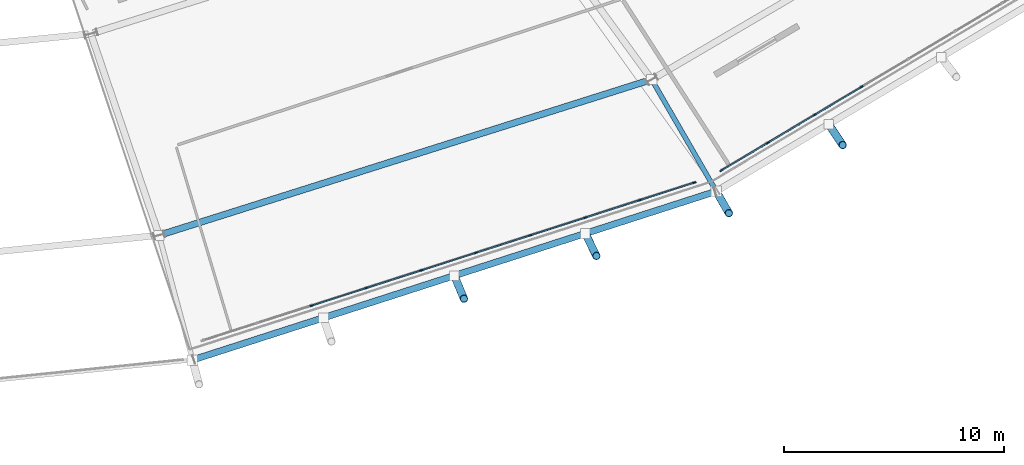
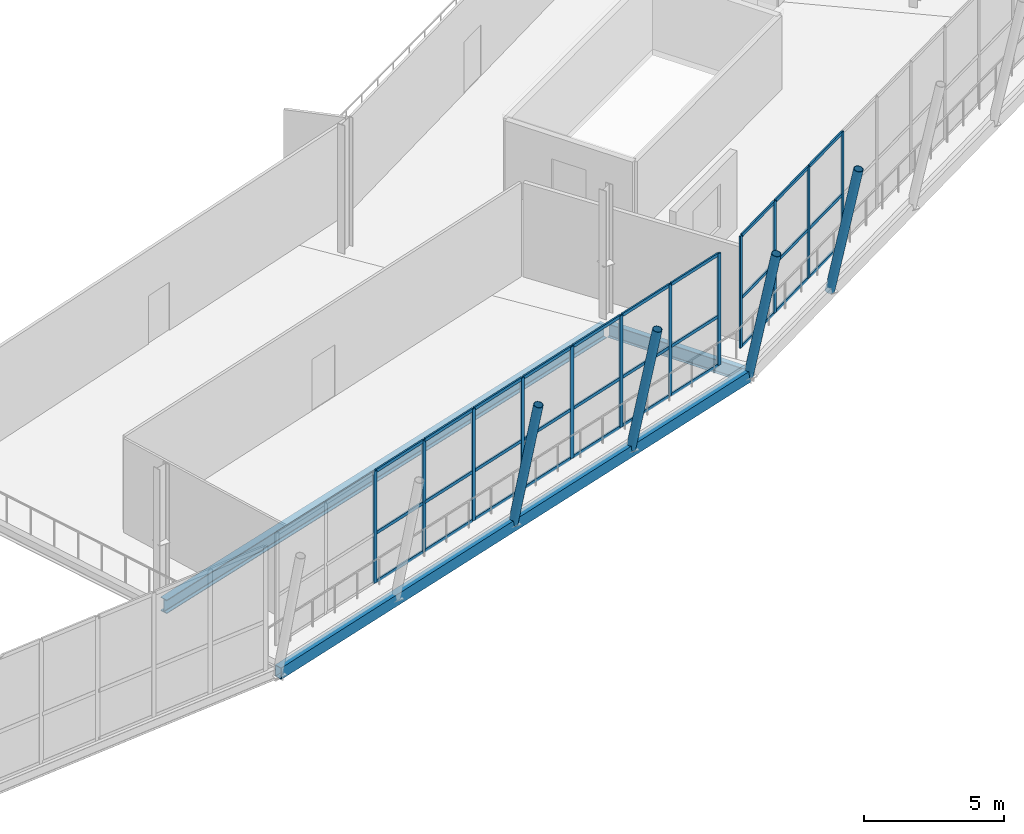
# One storey, part 31 of 99: 46 members, 3 beams, 2 elements without a shape of their own.
"""IFC4 building model written with IfcOpenShell, lengths in metres."""

from ifc_helpers import new_model, si_unit, direction, frame, origin, origin_2d, place, context, subcontext, project, spatial, rectangle, hollow_rectangle, hollow_circle, i_section, extrude, material, material_profile, profile_set, type_object, element, aggregate, save


model = new_model("IFC4")

# Units and contexts
model_context = context("Model", 3, precision=1e-05, world=origin(), true_north=direction((0.0, 1.0)))
body_context = subcontext(model_context, "Body", "Model", "MODEL_VIEW")
ifc_project = project(units=[si_unit("LENGTHUNIT", "METRE"), si_unit("AREAUNIT", "SQUARE_METRE"), si_unit("VOLUMEUNIT", "CUBIC_METRE"), si_unit("PLANEANGLEUNIT", "RADIAN"), si_unit("MASSUNIT", "GRAM", prefix="KILO")], contexts=[model_context])

# Site, building, storey
site_placement = place(None, origin())
site = spatial("IfcSite", under=ifc_project, at=site_placement, CompositionType="ELEMENT")
building_placement = place(site_placement, origin())
building = spatial("IfcBuilding", under=site, at=building_placement, Name="Zlatoyarsky Gate Stadium", CompositionType="ELEMENT")
storey_placement = place(building_placement, frame((0.0, 0.0, 26.199951171875)))
storey = spatial("IfcBuildingStorey", under=building, at=storey_placement, Name="L05", CompositionType="ELEMENT", Elevation=26.199951171875)

# Curtain wall, members
ifc_material_1 = material(Name="Thermally broken anodised aluminium curtain wall", Category="aluminium")
curtain_wall_type = type_object("IfcCurtainWallType", Name="UNITISED SKYBOX RING GLAZING L05", PredefinedType="USERDEFINED", material=ifc_material_1)
curtain_wall_1_placement = place(storey_placement, origin())
curtain_wall_1 = element("IfcCurtainWall", 1, at=curtain_wall_1_placement, inside=storey, type_object=curtain_wall_type, Name="Curtain wall CW-L05-19", ObjectType="UNITISED GLAZING", PredefinedType="USERDEFINED")
ifc_material_2 = material(Name="Anodised aluminium 6063-T6", Category="aluminium")
ifc_material_profile_1 = material_profile(ifc_material_2, rectangle(XDim=0.06494140625, YDim=0.159912109375, at=origin_2d()), Name="ALU 65X160")
ifc_profile_set_1 = profile_set([ifc_material_profile_1], Name="Anodised aluminium 6063-T6")
member_type_1 = type_object("IfcMemberType", Name="ALUMINIUM MULLION 65X160", PredefinedType="MULLION", material=ifc_profile_set_1)
member_1_placement = place(storey_placement, frame((142.01611328125, 8.21923828125, 0.0), z_axis=(0.0, 0.0, 1.0), x_axis=(-0.305978007283, 0.952038580657, 0.0)))
member_1 = element("IfcMember", 2, at=member_1_placement, type_object=member_type_1, Name="CW-UG5 mullion 3", PredefinedType="MULLION", context=body_context, shape_type="SweptSolid", body=[
    extrude(rectangle(XDim=0.06494140625, YDim=0.159912109375, at=origin_2d()), origin(), (0.0, 0.0, 1.0), 4.880126953125),
])
member_2_placement = place(storey_placement, frame((144.509521484375, 9.020751953125, 0.0), z_axis=(0.0, 0.0, 1.0), x_axis=(-0.305978007283, 0.952038580657, 0.0)))
member_2 = element("IfcMember", 3, at=member_2_placement, type_object=member_type_1, Name="CW-UG5 mullion 4", PredefinedType="MULLION", context=body_context, shape_type="SweptSolid", body=[
    extrude(rectangle(XDim=0.06494140625, YDim=0.159912109375, at=origin_2d()), origin(), (0.0, 0.0, 1.0), 4.880126953125),
])
member_3_placement = place(storey_placement, frame((147.0029296875, 9.822021484375, 0.0), z_axis=(0.0, 0.0, 1.0), x_axis=(-0.305978007283, 0.952038580657, 0.0)))
member_3 = element("IfcMember", 4, at=member_3_placement, type_object=member_type_1, Name="CW-UG5 mullion 5", PredefinedType="MULLION", context=body_context, shape_type="SweptSolid", body=[
    extrude(rectangle(XDim=0.06494140625, YDim=0.159912109375, at=origin_2d()), origin(), (0.0, 0.0, 1.0), 4.880126953125),
])
member_4_placement = place(storey_placement, frame((149.49658203125, 10.623291015625, 0.0), z_axis=(0.0, 0.0, 1.0), x_axis=(-0.305978007283, 0.952038580657, 0.0)))
member_4 = element("IfcMember", 5, at=member_4_placement, type_object=member_type_1, Name="CW-UG5 mullion 6", PredefinedType="MULLION", context=body_context, shape_type="SweptSolid", body=[
    extrude(rectangle(XDim=0.06494140625, YDim=0.159912109375, at=origin_2d()), origin(), (0.0, 0.0, 1.0), 4.880126953125),
])
member_5_placement = place(storey_placement, frame((151.989990234375, 11.4248046875, 0.0), z_axis=(0.0, 0.0, 1.0), x_axis=(-0.305978007283, 0.952038580657, 0.0)))
member_5 = element("IfcMember", 6, at=member_5_placement, type_object=member_type_1, Name="CW-UG5 mullion 7", PredefinedType="MULLION", context=body_context, shape_type="SweptSolid", body=[
    extrude(rectangle(XDim=0.06494140625, YDim=0.159912109375, at=origin_2d()), origin(), (0.0, 0.0, 1.0), 4.880126953125),
])
member_6_placement = place(storey_placement, frame((154.4833984375, 12.22607421875, 0.0), z_axis=(0.0, 0.0, 1.0), x_axis=(-0.305978007283, 0.952038580657, 0.0)))
member_6 = element("IfcMember", 7, at=member_6_placement, type_object=member_type_1, Name="CW-UG5 mullion 8", PredefinedType="MULLION", context=body_context, shape_type="SweptSolid", body=[
    extrude(rectangle(XDim=0.06494140625, YDim=0.159912109375, at=origin_2d()), origin(), (0.0, 0.0, 1.0), 4.880126953125),
])
member_7_placement = place(storey_placement, frame((156.976806640625, 13.027587890625, 0.0), z_axis=(0.0, 0.0, 1.0), x_axis=(-0.305978007283, 0.952038580657, 0.0)))
member_7 = element("IfcMember", 8, at=member_7_placement, type_object=member_type_1, Name="CW-UG5 mullion 9", PredefinedType="MULLION", context=body_context, shape_type="SweptSolid", body=[
    extrude(rectangle(XDim=0.06494140625, YDim=0.159912109375, at=origin_2d()), origin(), (0.0, 0.0, 1.0), 4.880126953125),
])
member_8_placement = place(storey_placement, frame((159.439453125, 13.81884765625, 0.0), z_axis=(0.0, 0.0, 1.0), x_axis=(-0.305978007283, 0.952038580657, 0.0)))
member_8 = element("IfcMember", 9, at=member_8_placement, type_object=member_type_1, Name="CW-UG5 mullion 10", PredefinedType="MULLION", context=body_context, shape_type="SweptSolid", body=[
    extrude(rectangle(XDim=0.06494140625, YDim=0.159912109375, at=origin_2d()), origin(), (0.0, 0.0, 1.0), 4.880126953125),
])

curtain_wall_2_placement = place(storey_placement, origin())
curtain_wall_2 = element("IfcCurtainWall", 10, at=curtain_wall_2_placement, inside=storey, type_object=curtain_wall_type, Name="Curtain wall CW-L05-20", ObjectType="UNITISED GLAZING", PredefinedType="USERDEFINED")
member_9_placement = place(storey_placement, frame((160.675537109375, 14.376953125, 0.0), z_axis=(0.0, 0.0, 1.0), x_axis=(-0.511577166542, 0.859237337802, 0.0)))
member_9 = element("IfcMember", 11, at=member_9_placement, type_object=member_type_1, Name="CW-UG5 mullion 1", PredefinedType="MULLION", context=body_context, shape_type="SweptSolid", body=[
    extrude(rectangle(XDim=0.06494140625, YDim=0.159912109375, at=origin_2d()), origin(), (0.0, 0.0, 1.0), 4.880126953125),
])
member_10_placement = place(storey_placement, frame((162.78271484375, 15.631591796875, 0.0), z_axis=(0.0, 0.0, 1.0), x_axis=(-0.511577166542, 0.859237337802, 0.0)))
member_10 = element("IfcMember", 12, at=member_10_placement, type_object=member_type_1, Name="CW-UG5 mullion 2", PredefinedType="MULLION", context=body_context, shape_type="SweptSolid", body=[
    extrude(rectangle(XDim=0.06494140625, YDim=0.159912109375, at=origin_2d()), origin(), (0.0, 0.0, 1.0), 4.880126953125),
])
member_11_placement = place(storey_placement, frame((164.91796875, 16.90283203125, 0.0), z_axis=(0.0, 0.0, 1.0), x_axis=(-0.511577166542, 0.859237337802, 0.0)))
member_11 = element("IfcMember", 13, at=member_11_placement, type_object=member_type_1, Name="CW-UG5 mullion 3", PredefinedType="MULLION", context=body_context, shape_type="SweptSolid", body=[
    extrude(rectangle(XDim=0.06494140625, YDim=0.159912109375, at=origin_2d()), origin(), (0.0, 0.0, 1.0), 4.880126953125),
])
member_12_placement = place(storey_placement, frame((167.052978515625, 18.174072265625, 0.0), z_axis=(0.0, 0.0, 1.0), x_axis=(-0.511577166542, 0.859237337802, 0.0)))
member_12 = element("IfcMember", 14, at=member_12_placement, type_object=member_type_1, Name="CW-UG5 mullion 4", PredefinedType="MULLION", context=body_context, shape_type="SweptSolid", body=[
    extrude(rectangle(XDim=0.06494140625, YDim=0.159912109375, at=origin_2d()), origin(), (0.0, 0.0, 1.0), 4.880126953125),
])

# Member
ifc_material_profile_2 = material_profile(ifc_material_2, rectangle(XDim=0.06494140625, YDim=0.139892578125, at=origin_2d()), Name="ALU 65X140")
ifc_profile_set_2 = profile_set([ifc_material_profile_2], Name="Anodised aluminium 6063-T6")
member_type_2 = type_object("IfcMemberType", Name="ALUMINIUM TRANSOM 65X140", PredefinedType="USERDEFINED", material=ifc_profile_set_2)
member_13_placement = place(storey_placement, frame((142.047119140625, 8.229248046875, 0.032470703125), z_axis=(0.952031545133, 0.305999897176, 0.0), x_axis=(-0.305999897176, 0.952031545133, 0.0)))
member_13 = element("IfcMember", 15, at=member_13_placement, type_object=member_type_2, Name="CW-UG5 transom 3.1", ObjectType="TRANSOM", PredefinedType="USERDEFINED", context=body_context, shape_type="SweptSolid", body=[
    extrude(rectangle(XDim=0.06494140625, YDim=0.139892578125, at=origin_2d()), origin(), (0.0, 0.0, 1.0), 2.553955078125),
])

member_14_placement = place(storey_placement, frame((142.047119140625, 8.229248046875, 2.150146484375), z_axis=(0.952031545133, 0.305999897176, 0.0), x_axis=(-0.305999897176, 0.952031545133, 0.0)))
member_14 = element("IfcMember", 16, at=member_14_placement, type_object=member_type_2, Name="CW-UG5 transom 3.2", ObjectType="TRANSOM", PredefinedType="USERDEFINED", context=body_context, shape_type="SweptSolid", body=[
    extrude(rectangle(XDim=0.06494140625, YDim=0.139892578125, at=origin_2d()), origin(), (0.0, 0.0, 1.0), 2.553955078125),
])

member_15_placement = place(storey_placement, frame((142.047119140625, 8.229248046875, 4.84765625), z_axis=(0.952031545133, 0.305999897176, 0.0), x_axis=(-0.305999897176, 0.952031545133, 0.0)))
member_15 = element("IfcMember", 17, at=member_15_placement, type_object=member_type_2, Name="CW-UG5 transom 3.3", ObjectType="TRANSOM", PredefinedType="USERDEFINED", context=body_context, shape_type="SweptSolid", body=[
    extrude(rectangle(XDim=0.06494140625, YDim=0.139892578125, at=origin_2d()), origin(), (0.0, 0.0, 1.0), 2.553955078125),
])

member_16_placement = place(storey_placement, frame((144.54052734375, 9.030517578125, 0.032470703125), z_axis=(0.952040495048, 0.305972050667, 0.0), x_axis=(-0.305972050667, 0.952040495048, 0.0)))
member_16 = element("IfcMember", 18, at=member_16_placement, type_object=member_type_2, Name="CW-UG5 transom 4.1", ObjectType="TRANSOM", PredefinedType="USERDEFINED", context=body_context, shape_type="SweptSolid", body=[
    extrude(rectangle(XDim=0.06494140625, YDim=0.139892578125, at=origin_2d()), origin(), (0.0, 0.0, 1.0), 2.55419921875),
])

member_17_placement = place(storey_placement, frame((144.54052734375, 9.030517578125, 2.150146484375), z_axis=(0.952040495048, 0.305972050667, 0.0), x_axis=(-0.305972050667, 0.952040495048, 0.0)))
member_17 = element("IfcMember", 19, at=member_17_placement, type_object=member_type_2, Name="CW-UG5 transom 4.2", ObjectType="TRANSOM", PredefinedType="USERDEFINED", context=body_context, shape_type="SweptSolid", body=[
    extrude(rectangle(XDim=0.06494140625, YDim=0.139892578125, at=origin_2d()), origin(), (0.0, 0.0, 1.0), 2.55419921875),
])

member_18_placement = place(storey_placement, frame((144.54052734375, 9.030517578125, 4.84765625), z_axis=(0.952040495048, 0.305972050667, 0.0), x_axis=(-0.305972050667, 0.952040495048, 0.0)))
member_18 = element("IfcMember", 20, at=member_18_placement, type_object=member_type_2, Name="CW-UG5 transom 4.3", ObjectType="TRANSOM", PredefinedType="USERDEFINED", context=body_context, shape_type="SweptSolid", body=[
    extrude(rectangle(XDim=0.06494140625, YDim=0.139892578125, at=origin_2d()), origin(), (0.0, 0.0, 1.0), 2.55419921875),
])

member_19_placement = place(storey_placement, frame((147.033935546875, 9.83203125, 0.032470703125), z_axis=(0.952040495048, 0.305972050667, 0.0), x_axis=(-0.305972050667, 0.952040495048, 0.0)))
member_19 = element("IfcMember", 21, at=member_19_placement, type_object=member_type_2, Name="CW-UG5 transom 5.1", ObjectType="TRANSOM", PredefinedType="USERDEFINED", context=body_context, shape_type="SweptSolid", body=[
    extrude(rectangle(XDim=0.06494140625, YDim=0.139892578125, at=origin_2d()), origin(), (0.0, 0.0, 1.0), 2.55419921875),
])

member_20_placement = place(storey_placement, frame((147.033935546875, 9.83203125, 2.150146484375), z_axis=(0.952040495048, 0.305972050667, 0.0), x_axis=(-0.305972050667, 0.952040495048, 0.0)))
member_20 = element("IfcMember", 22, at=member_20_placement, type_object=member_type_2, Name="CW-UG5 transom 5.2", ObjectType="TRANSOM", PredefinedType="USERDEFINED", context=body_context, shape_type="SweptSolid", body=[
    extrude(rectangle(XDim=0.06494140625, YDim=0.139892578125, at=origin_2d()), origin(), (0.0, 0.0, 1.0), 2.55419921875),
])

member_21_placement = place(storey_placement, frame((147.033935546875, 9.83203125, 4.84765625), z_axis=(0.952040495048, 0.305972050667, 0.0), x_axis=(-0.305972050667, 0.952040495048, 0.0)))
member_21 = element("IfcMember", 23, at=member_21_placement, type_object=member_type_2, Name="CW-UG5 transom 5.3", ObjectType="TRANSOM", PredefinedType="USERDEFINED", context=body_context, shape_type="SweptSolid", body=[
    extrude(rectangle(XDim=0.06494140625, YDim=0.139892578125, at=origin_2d()), origin(), (0.0, 0.0, 1.0), 2.55419921875),
])

member_22_placement = place(storey_placement, frame((149.52734375, 10.63330078125, 0.032470703125), z_axis=(0.952040495048, 0.305972050667, 0.0), x_axis=(-0.305972050667, 0.952040495048, 0.0)))
member_22 = element("IfcMember", 24, at=member_22_placement, type_object=member_type_2, Name="CW-UG5 transom 6.1", ObjectType="TRANSOM", PredefinedType="USERDEFINED", context=body_context, shape_type="SweptSolid", body=[
    extrude(rectangle(XDim=0.06494140625, YDim=0.139892578125, at=origin_2d()), origin(), (0.0, 0.0, 1.0), 2.55419921875),
])

member_23_placement = place(storey_placement, frame((149.52734375, 10.63330078125, 2.150146484375), z_axis=(0.952040495048, 0.305972050667, 0.0), x_axis=(-0.305972050667, 0.952040495048, 0.0)))
member_23 = element("IfcMember", 25, at=member_23_placement, type_object=member_type_2, Name="CW-UG5 transom 6.2", ObjectType="TRANSOM", PredefinedType="USERDEFINED", context=body_context, shape_type="SweptSolid", body=[
    extrude(rectangle(XDim=0.06494140625, YDim=0.139892578125, at=origin_2d()), origin(), (0.0, 0.0, 1.0), 2.55419921875),
])

member_24_placement = place(storey_placement, frame((149.52734375, 10.63330078125, 4.84765625), z_axis=(0.952040495048, 0.305972050667, 0.0), x_axis=(-0.305972050667, 0.952040495048, 0.0)))
member_24 = element("IfcMember", 26, at=member_24_placement, type_object=member_type_2, Name="CW-UG5 transom 6.3", ObjectType="TRANSOM", PredefinedType="USERDEFINED", context=body_context, shape_type="SweptSolid", body=[
    extrude(rectangle(XDim=0.06494140625, YDim=0.139892578125, at=origin_2d()), origin(), (0.0, 0.0, 1.0), 2.55419921875),
])

member_25_placement = place(storey_placement, frame((152.02099609375, 11.434814453125, 0.032470703125), z_axis=(0.952031545133, 0.305999897176, 0.0), x_axis=(-0.305999897176, 0.952031545133, 0.0)))
member_25 = element("IfcMember", 27, at=member_25_placement, type_object=member_type_2, Name="CW-UG5 transom 7.1", ObjectType="TRANSOM", PredefinedType="USERDEFINED", context=body_context, shape_type="SweptSolid", body=[
    extrude(rectangle(XDim=0.06494140625, YDim=0.139892578125, at=origin_2d()), origin(), (0.0, 0.0, 1.0), 2.553955078125),
])

member_26_placement = place(storey_placement, frame((152.02099609375, 11.434814453125, 2.150146484375), z_axis=(0.952031545133, 0.305999897176, 0.0), x_axis=(-0.305999897176, 0.952031545133, 0.0)))
member_26 = element("IfcMember", 28, at=member_26_placement, type_object=member_type_2, Name="CW-UG5 transom 7.2", ObjectType="TRANSOM", PredefinedType="USERDEFINED", context=body_context, shape_type="SweptSolid", body=[
    extrude(rectangle(XDim=0.06494140625, YDim=0.139892578125, at=origin_2d()), origin(), (0.0, 0.0, 1.0), 2.553955078125),
])

member_27_placement = place(storey_placement, frame((152.02099609375, 11.434814453125, 4.84765625), z_axis=(0.952031545133, 0.305999897176, 0.0), x_axis=(-0.305999897176, 0.952031545133, 0.0)))
member_27 = element("IfcMember", 29, at=member_27_placement, type_object=member_type_2, Name="CW-UG5 transom 7.3", ObjectType="TRANSOM", PredefinedType="USERDEFINED", context=body_context, shape_type="SweptSolid", body=[
    extrude(rectangle(XDim=0.06494140625, YDim=0.139892578125, at=origin_2d()), origin(), (0.0, 0.0, 1.0), 2.553955078125),
])

member_28_placement = place(storey_placement, frame((154.514404296875, 12.236083984375, 0.032470703125), z_axis=(0.952031545133, 0.305999897176, 0.0), x_axis=(-0.305999897176, 0.952031545133, 0.0)))
member_28 = element("IfcMember", 30, at=member_28_placement, type_object=member_type_2, Name="CW-UG5 transom 8.1", ObjectType="TRANSOM", PredefinedType="USERDEFINED", context=body_context, shape_type="SweptSolid", body=[
    extrude(rectangle(XDim=0.06494140625, YDim=0.139892578125, at=origin_2d()), origin(), (0.0, 0.0, 1.0), 2.553955078125),
])

member_29_placement = place(storey_placement, frame((154.514404296875, 12.236083984375, 2.150146484375), z_axis=(0.952031545133, 0.305999897176, 0.0), x_axis=(-0.305999897176, 0.952031545133, 0.0)))
member_29 = element("IfcMember", 31, at=member_29_placement, type_object=member_type_2, Name="CW-UG5 transom 8.2", ObjectType="TRANSOM", PredefinedType="USERDEFINED", context=body_context, shape_type="SweptSolid", body=[
    extrude(rectangle(XDim=0.06494140625, YDim=0.139892578125, at=origin_2d()), origin(), (0.0, 0.0, 1.0), 2.553955078125),
])

member_30_placement = place(storey_placement, frame((154.514404296875, 12.236083984375, 4.84765625), z_axis=(0.952031545133, 0.305999897176, 0.0), x_axis=(-0.305999897176, 0.952031545133, 0.0)))
member_30 = element("IfcMember", 32, at=member_30_placement, type_object=member_type_2, Name="CW-UG5 transom 8.3", ObjectType="TRANSOM", PredefinedType="USERDEFINED", context=body_context, shape_type="SweptSolid", body=[
    extrude(rectangle(XDim=0.06494140625, YDim=0.139892578125, at=origin_2d()), origin(), (0.0, 0.0, 1.0), 2.553955078125),
])

member_31_placement = place(storey_placement, frame((157.0078125, 13.037353515625, 0.032470703125), z_axis=(0.952017479686, 0.306043654357, 0.0), x_axis=(-0.306043654357, 0.952017479686, 0.0)))
member_31 = element("IfcMember", 33, at=member_31_placement, type_object=member_type_2, Name="CW-UG5 transom 9.1", ObjectType="TRANSOM", PredefinedType="USERDEFINED", context=body_context, shape_type="SweptSolid", body=[
    extrude(rectangle(XDim=0.06494140625, YDim=0.139892578125, at=origin_2d()), origin(), (0.0, 0.0, 1.0), 2.521728515625),
])

member_32_placement = place(storey_placement, frame((157.0078125, 13.037353515625, 2.150146484375), z_axis=(0.952017479686, 0.306043654357, 0.0), x_axis=(-0.306043654357, 0.952017479686, 0.0)))
member_32 = element("IfcMember", 34, at=member_32_placement, type_object=member_type_2, Name="CW-UG5 transom 9.2", ObjectType="TRANSOM", PredefinedType="USERDEFINED", context=body_context, shape_type="SweptSolid", body=[
    extrude(rectangle(XDim=0.06494140625, YDim=0.139892578125, at=origin_2d()), origin(), (0.0, 0.0, 1.0), 2.521728515625),
])

member_33_placement = place(storey_placement, frame((157.0078125, 13.037353515625, 4.84765625), z_axis=(0.952017479686, 0.306043654357, 0.0), x_axis=(-0.306043654357, 0.952017479686, 0.0)))
member_33 = element("IfcMember", 35, at=member_33_placement, type_object=member_type_2, Name="CW-UG5 transom 9.3", ObjectType="TRANSOM", PredefinedType="USERDEFINED", context=body_context, shape_type="SweptSolid", body=[
    extrude(rectangle(XDim=0.06494140625, YDim=0.139892578125, at=origin_2d()), origin(), (0.0, 0.0, 1.0), 2.521728515625),
])

aggregate(curtain_wall_1, [member_1, member_2, member_3, member_4, member_5, member_6, member_7, member_8, member_13, member_14, member_15, member_16, member_17, member_18, member_19, member_20, member_21, member_22, member_23, member_24, member_25, member_26, member_27, member_28, member_29, member_30, member_31, member_32, member_33])

member_34_placement = place(storey_placement, frame((160.703369140625, 14.3935546875, 0.032470703125), z_axis=(0.859238307088, 0.511575538541, 0.0), x_axis=(-0.511575538541, 0.859238307088, 0.0)))
member_34 = element("IfcMember", 36, at=member_34_placement, type_object=member_type_2, Name="CW-UG5 transom 1.1", ObjectType="TRANSOM", PredefinedType="USERDEFINED", context=body_context, shape_type="SweptSolid", body=[
    extrude(rectangle(XDim=0.06494140625, YDim=0.139892578125, at=origin_2d()), origin(), (0.0, 0.0, 1.0), 2.3876953125),
])

member_35_placement = place(storey_placement, frame((160.703369140625, 14.3935546875, 2.150146484375), z_axis=(0.859238307088, 0.511575538541, 0.0), x_axis=(-0.511575538541, 0.859238307088, 0.0)))
member_35 = element("IfcMember", 37, at=member_35_placement, type_object=member_type_2, Name="CW-UG5 transom 1.2", ObjectType="TRANSOM", PredefinedType="USERDEFINED", context=body_context, shape_type="SweptSolid", body=[
    extrude(rectangle(XDim=0.06494140625, YDim=0.139892578125, at=origin_2d()), origin(), (0.0, 0.0, 1.0), 2.3876953125),
])

member_36_placement = place(storey_placement, frame((160.703369140625, 14.3935546875, 4.84765625), z_axis=(0.859238307088, 0.511575538541, 0.0), x_axis=(-0.511575538541, 0.859238307088, 0.0)))
member_36 = element("IfcMember", 38, at=member_36_placement, type_object=member_type_2, Name="CW-UG5 transom 1.3", ObjectType="TRANSOM", PredefinedType="USERDEFINED", context=body_context, shape_type="SweptSolid", body=[
    extrude(rectangle(XDim=0.06494140625, YDim=0.139892578125, at=origin_2d()), origin(), (0.0, 0.0, 1.0), 2.3876953125),
])

member_37_placement = place(storey_placement, frame((162.810791015625, 15.648193359375, 0.032470703125), z_axis=(0.859206295703, 0.511629300788, 0.0), x_axis=(-0.511629300788, 0.859206295703, 0.0)))
member_37 = element("IfcMember", 39, at=member_37_placement, type_object=member_type_2, Name="CW-UG5 transom 2.1", ObjectType="TRANSOM", PredefinedType="USERDEFINED", context=body_context, shape_type="SweptSolid", body=[
    extrude(rectangle(XDim=0.06494140625, YDim=0.139892578125, at=origin_2d()), origin(), (0.0, 0.0, 1.0), 2.419677734375),
])

member_38_placement = place(storey_placement, frame((162.810791015625, 15.648193359375, 2.150146484375), z_axis=(0.859206295703, 0.511629300788, 0.0), x_axis=(-0.511629300788, 0.859206295703, 0.0)))
member_38 = element("IfcMember", 40, at=member_38_placement, type_object=member_type_2, Name="CW-UG5 transom 2.2", ObjectType="TRANSOM", PredefinedType="USERDEFINED", context=body_context, shape_type="SweptSolid", body=[
    extrude(rectangle(XDim=0.06494140625, YDim=0.139892578125, at=origin_2d()), origin(), (0.0, 0.0, 1.0), 2.419677734375),
])

member_39_placement = place(storey_placement, frame((162.810791015625, 15.648193359375, 4.84765625), z_axis=(0.859206295703, 0.511629300788, 0.0), x_axis=(-0.511629300788, 0.859206295703, 0.0)))
member_39 = element("IfcMember", 41, at=member_39_placement, type_object=member_type_2, Name="CW-UG5 transom 2.3", ObjectType="TRANSOM", PredefinedType="USERDEFINED", context=body_context, shape_type="SweptSolid", body=[
    extrude(rectangle(XDim=0.06494140625, YDim=0.139892578125, at=origin_2d()), origin(), (0.0, 0.0, 1.0), 2.419677734375),
])

member_40_placement = place(storey_placement, frame((164.94580078125, 16.91943359375, 0.032470703125), z_axis=(0.859232702525, 0.511584951803, 0.0), x_axis=(-0.511584951803, 0.859232702525, 0.0)))
member_40 = element("IfcMember", 42, at=member_40_placement, type_object=member_type_2, Name="CW-UG5 transom 3.1", ObjectType="TRANSOM", PredefinedType="USERDEFINED", context=body_context, shape_type="SweptSolid", body=[
    extrude(rectangle(XDim=0.06494140625, YDim=0.139892578125, at=origin_2d()), origin(), (0.0, 0.0, 1.0), 2.419921875),
])

member_41_placement = place(storey_placement, frame((164.94580078125, 16.91943359375, 2.150146484375), z_axis=(0.859232702525, 0.511584951803, 0.0), x_axis=(-0.511584951803, 0.859232702525, 0.0)))
member_41 = element("IfcMember", 43, at=member_41_placement, type_object=member_type_2, Name="CW-UG5 transom 3.2", ObjectType="TRANSOM", PredefinedType="USERDEFINED", context=body_context, shape_type="SweptSolid", body=[
    extrude(rectangle(XDim=0.06494140625, YDim=0.139892578125, at=origin_2d()), origin(), (0.0, 0.0, 1.0), 2.419921875),
])

member_42_placement = place(storey_placement, frame((164.94580078125, 16.91943359375, 4.84765625), z_axis=(0.859232702525, 0.511584951803, 0.0), x_axis=(-0.511584951803, 0.859232702525, 0.0)))
member_42 = element("IfcMember", 44, at=member_42_placement, type_object=member_type_2, Name="CW-UG5 transom 3.3", ObjectType="TRANSOM", PredefinedType="USERDEFINED", context=body_context, shape_type="SweptSolid", body=[
    extrude(rectangle(XDim=0.06494140625, YDim=0.139892578125, at=origin_2d()), origin(), (0.0, 0.0, 1.0), 2.419921875),
])

aggregate(curtain_wall_2, [member_9, member_10, member_11, member_12, member_34, member_35, member_36, member_37, member_38, member_39, member_40, member_41, member_42])

# Beam
ifc_material_3 = material(Name="Steel S355", Category="steel")
ifc_material_profile_3 = material_profile(ifc_material_3, i_section(OverallWidth=0.219970703125, OverallDepth=0.60009765625, WebThickness=0.011962890625, FlangeThickness=0.01904296875, FilletRadius=0.02392578125, at=origin_2d()), Name="IPE 600")
ifc_profile_set_3 = profile_set([ifc_material_profile_3], Name="Steel S355")
beam_type_1 = type_object("IfcBeamType", Name="STEEL CANTILEVER FLOOR BEAM IPE 600", PredefinedType="BEAM", material=ifc_profile_set_3)
beam_1_placement = place(storey_placement, frame((157.56005859375, 18.408203125, -0.56005859375), z_axis=(0.500019739641, -0.866014006798, 0.0), x_axis=(0.866014006798, 0.500019739641, 0.0)))
element("IfcBeam", 45, at=beam_1_placement, inside=storey, type_object=beam_type_1, Name="Beam B-IPE600 BM-L05-OUT-20", PredefinedType="BEAM", context=body_context, shape_type="SweptSolid", body=[
    extrude(i_section(OverallWidth=0.219970703125, OverallDepth=0.60009765625, WebThickness=0.011962890625, FlangeThickness=0.01904296875, FilletRadius=0.02392578125, at=origin_2d()), origin(), (0.0, 0.0, 1.0), 5.758056640625),
])

# Members
ifc_material_profile_4 = material_profile(ifc_material_3, hollow_circle(Radius=0.177734375, WallThickness=0.02001953125, at=origin_2d()), Name="CHS 355.6X20")
ifc_profile_set_4 = profile_set([ifc_material_profile_4], Name="Steel S355")
member_type_3 = type_object("IfcMemberType", Name="STEEL LEANING RIB RING STRUT CHS 355.6X20", PredefinedType="STRUT", material=ifc_profile_set_4)
member_43_placement = place(storey_placement, frame((148.515380859375, 9.58154296875, -0.510009765625), z_axis=(0.075520190109, -0.182373225051, 0.980324797029), x_axis=(0.923917630863, 0.382591441855, 0.0)))
element("IfcMember", 46, at=member_43_placement, inside=storey, type_object=member_type_3, Name="Outward-leaning bowl louvre fin rib L05 19-2", PredefinedType="STRUT", context=body_context, shape_type="SweptSolid", body=[
    extrude(hollow_circle(Radius=0.177734375, WallThickness=0.02001953125, at=origin_2d()), origin(), (0.0, 0.0, 1.0), 5.773681640625),
])
member_44_placement = place(storey_placement, frame((154.477294921875, 11.501708984375, -0.510009765625), z_axis=(0.087521210893, -0.177410145366, 0.980237562005), x_axis=(0.896808146126, 0.442419652641, 0.0)))
element("IfcMember", 47, at=member_44_placement, inside=storey, type_object=member_type_3, Name="Outward-leaning bowl louvre fin rib L05 19-3", PredefinedType="STRUT", context=body_context, shape_type="SweptSolid", body=[
    extrude(hollow_circle(Radius=0.177734375, WallThickness=0.02001953125, at=origin_2d()), origin(), (0.0, 0.0, 1.0), 5.774169921875),
])
member_45_placement = place(storey_placement, frame((160.439208984375, 13.421630859375, -0.56005859375), z_axis=(0.098666025445, -0.170926105253, 0.98033121034), x_axis=(0.866065348708, 0.499930806979, 0.0)))
element("IfcMember", 48, at=member_45_placement, inside=storey, type_object=member_type_3, Name="Upper leaning rib ring strut 20", PredefinedType="STRUT", context=body_context, shape_type="SweptSolid", body=[
    extrude(hollow_circle(Radius=0.177734375, WallThickness=0.02001953125, at=origin_2d()), origin(), (0.0, 0.0, 1.0), 5.82470703125),
])
member_46_placement = place(storey_placement, frame((165.55859375, 16.47607421875, -0.510009765625), z_axis=(0.109845641562, -0.164514777259, 0.980239166272), x_axis=(0.83165549014, 0.555291946385, 0.0)))
element("IfcMember", 49, at=member_46_placement, inside=storey, type_object=member_type_3, Name="Outward-leaning bowl louvre fin rib L05 20-1", PredefinedType="STRUT", context=body_context, shape_type="SweptSolid", body=[
    extrude(hollow_circle(Radius=0.177734375, WallThickness=0.02001953125, at=origin_2d()), origin(), (0.0, 0.0, 1.0), 5.774169921875),
])

# Beams
ifc_material_profile_5 = material_profile(ifc_material_3, hollow_rectangle(XDim=0.300048828125, YDim=0.5, WallThickness=0.02001953125, at=origin_2d()), Name="RHS 500X300X20")
ifc_profile_set_5 = profile_set([ifc_material_profile_5], Name="Steel S355")
beam_type_2 = type_object("IfcBeamType", Name="STEEL LOUVRE CARRIER SPANDREL RHS 500X300X20", PredefinedType="SPANDREL", material=ifc_profile_set_5)
beam_2_placement = place(storey_placement, frame((136.610595703125, 5.74755859375, -0.510009765625), z_axis=(0.951854958659, 0.306548752528, 0.0), x_axis=(-0.306548752528, 0.951854958659, 0.0)))
element("IfcBeam", 50, at=beam_2_placement, inside=storey, type_object=beam_type_2, Name="Beam SP-RHS500 BM-L05-SPD-19", PredefinedType="SPANDREL", context=body_context, shape_type="SweptSolid", body=[
    extrude(hollow_rectangle(XDim=0.300048828125, YDim=0.5, WallThickness=0.02001953125, at=origin_2d()), origin(), (0.0, 0.0, 1.0), 25.013916015625),
])
ifc_material_profile_6 = material_profile(ifc_material_3, i_section(OverallWidth=0.300048828125, OverallDepth=0.60009765625, WebThickness=0.015380859375, FlangeThickness=0.030029296875, FilletRadius=0.027099609375, at=origin_2d()), Name="HEB 600")
ifc_profile_set_6 = profile_set([ifc_material_profile_6], Name="Steel S355")
beam_type_3 = type_object("IfcBeamType", Name="STEEL PRIMARY GIRDER HEB 600", PredefinedType="BEAM", material=ifc_profile_set_6)
beam_3_placement = place(storey_placement, frame((135.1845703125, 11.45556640625, -0.56005859375), z_axis=(0.953463107403, 0.301509706015, 0.0), x_axis=(-0.301509706015, 0.953463107403, 0.0)))
element("IfcBeam", 51, at=beam_3_placement, inside=storey, type_object=beam_type_3, Name="Beam G-HEB600 BM-L05-CRC-19", PredefinedType="BEAM", context=body_context, shape_type="SweptSolid", body=[
    extrude(i_section(OverallWidth=0.300048828125, OverallDepth=0.60009765625, WebThickness=0.015380859375, FlangeThickness=0.030029296875, FilletRadius=0.027099609375, at=origin_2d()), origin(), (0.0, 0.0, 1.0), 23.284423828125),
])

save(model, "model.ifc")
